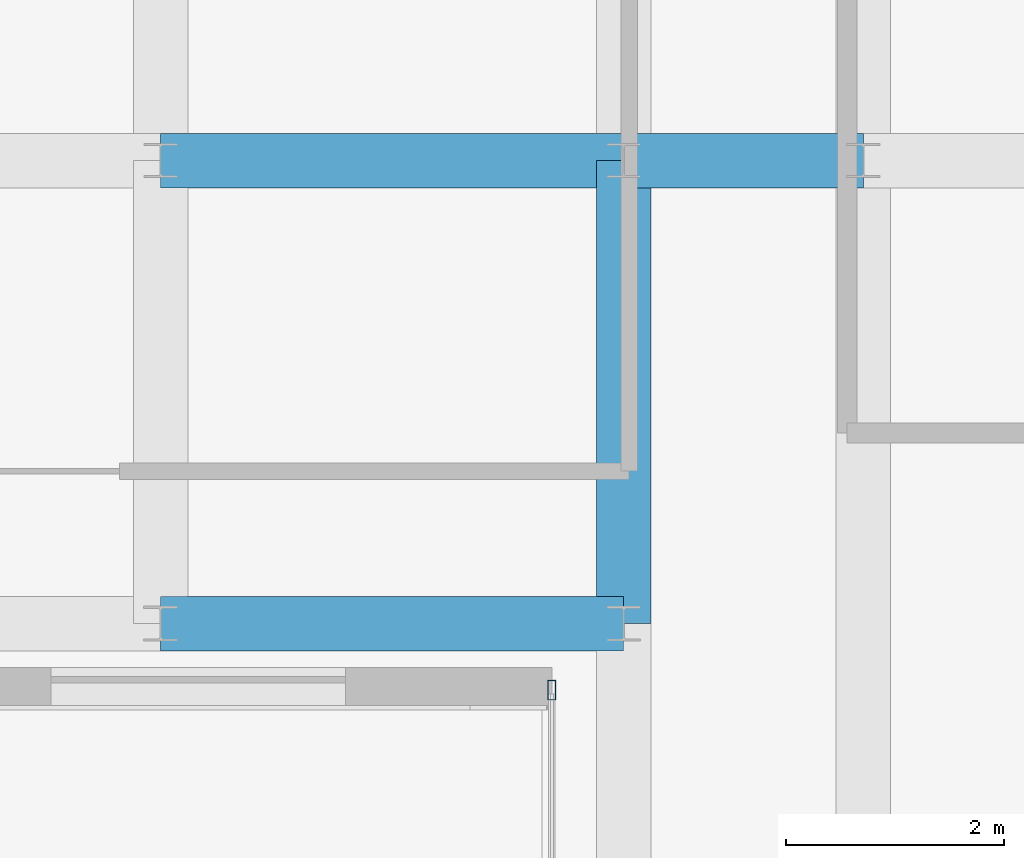
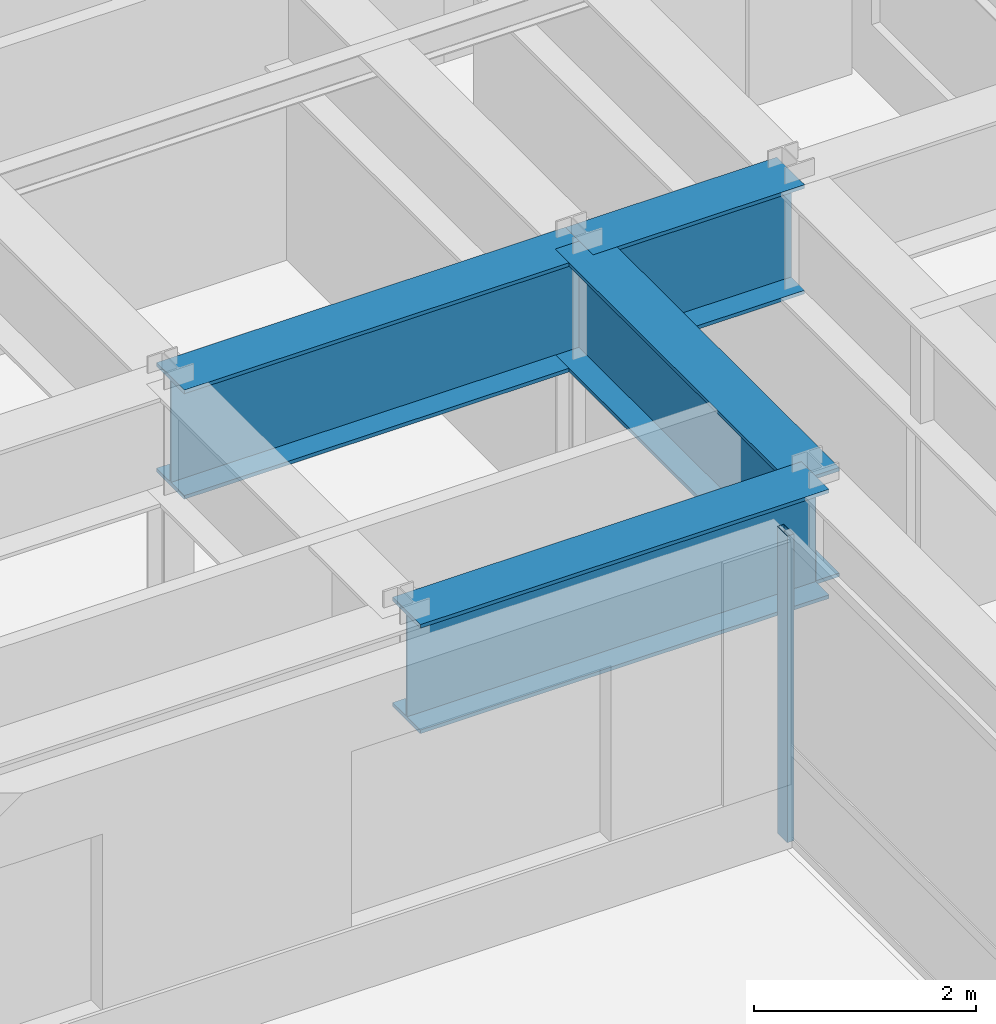
# One storey, part 6 of 16: 4 beams, 1 member, 1 element without a shape of its own.
"""IFC4 building model written with IfcOpenShell, lengths in metres."""

from ifc_helpers import new_model, si_unit, direction, frame, origin, origin_2d, place, context, subcontext, project, spatial, hollow_rectangle, i_section, extrude, source, transform, mapped, material, layer, layer_set, material_profile, profile_set, type_object, type_shapes, element, aggregate, save


model = new_model("IFC4")

# Units and contexts
model_context = context("Model", 3, precision=1e-05, world=origin(), true_north=direction((0.0, 1.0)))
body_context = subcontext(model_context, "Body", "Model", "MODEL_VIEW")
ifc_project = project(units=[si_unit("LENGTHUNIT", "METRE"), si_unit("AREAUNIT", "SQUARE_METRE"), si_unit("VOLUMEUNIT", "CUBIC_METRE"), si_unit("PLANEANGLEUNIT", "RADIAN"), si_unit("MASSUNIT", "GRAM", prefix="KILO")], contexts=[model_context])

# Site, building, storey
site_placement = place(None, origin())
site = spatial("IfcSite", under=ifc_project, at=site_placement, CompositionType="ELEMENT")
building_placement = place(site_placement, origin())
building = spatial("IfcBuilding", under=site, at=building_placement, Name="Tolvann Quenvar Hotel", CompositionType="ELEMENT")
storey_placement = place(building_placement, frame((0.0, 0.0, 241.64990234375)))
storey = spatial("IfcBuildingStorey", under=building, at=storey_placement, Name="L64", CompositionType="ELEMENT", Elevation=241.64990234375)

# Beams
ifc_material_1 = material(Name="Steel Grade 350", Category="steel")
ifc_material_profile_1 = material_profile(ifc_material_1, i_section(OverallWidth=0.5, OverallDepth=1.199951171875, WebThickness=0.01611328125, FlangeThickness=0.0400390625, at=origin_2d()), Name="1200WB455")
ifc_profile_set_1 = profile_set([ifc_material_profile_1], Name="Steel Grade 350")
beam_type = type_object("IfcBeamType", Name="BM_TG_1200WB455", PredefinedType="USERDEFINED", material=ifc_profile_set_1)
shared_shape_1 = source(origin(), body_context, "Body", "SweptSolid", [
    extrude(i_section(OverallWidth=0.5, OverallDepth=1.199951171875, WebThickness=0.01611328125, FlangeThickness=0.0400390625, at=origin_2d()), origin(), (0.0, 0.0, 1.0), 2.199951171875),
])
beam_placement = place(storey_placement, frame((32.75, 24.39990234375, 2.77001953125), z_axis=(1.0, 0.0, 0.0), x_axis=(0.0, 1.0, 0.0)))
element("IfcBeam", 1, at=beam_placement, inside=storey, type_object=beam_type, Name="BM-L64-EW-5-FP5-F5", ObjectType="TRANSFER GIRDER", PredefinedType="USERDEFINED", context=body_context, shape_type="MappedRepresentation", body=[
    mapped(shared_shape_1, transform((0.0, 0.0, 0.0), x_axis=(1.0, 0.0, 0.0), y_axis=(0.0, 1.0, 0.0), z_axis=(0.0, 0.0, 1.0), scale=1.0)),
])
shared_shape_2 = source(origin(), body_context, "Body", "SweptSolid", [
    extrude(i_section(OverallWidth=0.5, OverallDepth=1.199951171875, WebThickness=0.01611328125, FlangeThickness=0.0400390625, at=origin_2d()), origin(), (0.0, 0.0, 1.0), 4.25),
])
type_shapes(beam_type, [shared_shape_1, shared_shape_2])
for number, where, z_axis, x_axis, name in (
    (2, (28.5, 20.14990234375, 2.77001953125), (1.0, 0.0, 0.0), (0.0, 1.0, 0.0), "BM-L64-EW-4P-M4P-FP4P"),
    (3, (28.5, 24.39990234375, 2.77001953125), (1.0, 0.0, 0.0), (0.0, 1.0, 0.0), "BM-L64-EW-5-M5-FP5"),
    (4, (32.75, 20.14990234375, 2.77001953125), (0.0, 1.0, 0.0), (-1.0, 0.0, 0.0), "BM-L64-NS-FP4P-FP5"),
):
    element("IfcBeam", number, at=place(storey_placement, frame(where, z_axis=z_axis, x_axis=x_axis)), inside=storey, type_object=beam_type, Name=name, ObjectType="TRANSFER GIRDER", PredefinedType="USERDEFINED", context=body_context, shape_type="MappedRepresentation", body=[
        mapped(shared_shape_2, transform((0.0, 0.0, 0.0), x_axis=(1.0, 0.0, 0.0), y_axis=(0.0, 1.0, 0.0), z_axis=(0.0, 0.0, 1.0), scale=1.0)),
    ])

# Curtain wall, member
ifc_material_2 = material(Name="Thermally broken anodised architectural aluminium 6063-T6 and laminated low-E glass", Category="aluminium")
ifc_layer = layer(ifc_material_2, 0.179931640625)
ifc_layer_set = layer_set([ifc_layer], Name="Thermally broken anodised architectural aluminium 6063-T6 and laminated low-E glass")
curtain_wall_type = type_object("IfcCurtainWallType", Name="CW_SYS_PORTAL_05", PredefinedType="USERDEFINED", material=ifc_layer_set)
curtain_wall_placement = place(storey_placement, origin())
curtain_wall = element("IfcCurtainWall", 5, at=curtain_wall_placement, inside=storey, type_object=curtain_wall_type, Name="Curtain Wall CW-PORTAL-05 (CWR-L64-E07)", ObjectType="UNITISED CURTAIN WALL", PredefinedType="USERDEFINED")
ifc_material_3 = material(Name="Anodised architectural aluminium 6063-T6 framing", Category="aluminium")
ifc_material_profile_2 = material_profile(ifc_material_3, hollow_rectangle(XDim=0.070068359375, YDim=0.179931640625, WallThickness=0.00390625, at=origin_2d()), Name="180x70x4RHS")
ifc_profile_set_2 = profile_set([ifc_material_profile_2], Name="Anodised architectural aluminium 6063-T6 framing")
member_type = type_object("IfcMemberType", Name="CW_MULL_180x70", PredefinedType="MULLION", material=ifc_profile_set_2)
shared_shape_3 = source(origin(), body_context, "Body", "SweptSolid", [
    extrude(hollow_rectangle(XDim=0.070068359375, YDim=0.179931640625, WallThickness=0.00390625, at=origin_2d()), origin(), (0.0, 0.0, 1.0), 3.3701171875),
])
type_shapes(member_type, [shared_shape_3])
member_placement = place(storey_placement, frame((32.090087890625, 19.5400390625, 0.0), z_axis=(0.0, 0.0, 1.0), x_axis=(1.0, 0.0, 0.0)))
member = element("IfcMember", 6, at=member_placement, type_object=member_type, Name="CW-PORTAL-05 mullion 1", PredefinedType="MULLION", context=body_context, shape_type="MappedRepresentation", body=[
    mapped(shared_shape_3, transform((0.0, 0.0, 0.0), x_axis=(1.0, 0.0, 0.0), y_axis=(0.0, 1.0, 0.0), z_axis=(0.0, 0.0, 1.0), scale=1.0)),
])
aggregate(curtain_wall, [member])

save(model, "model.ifc")
